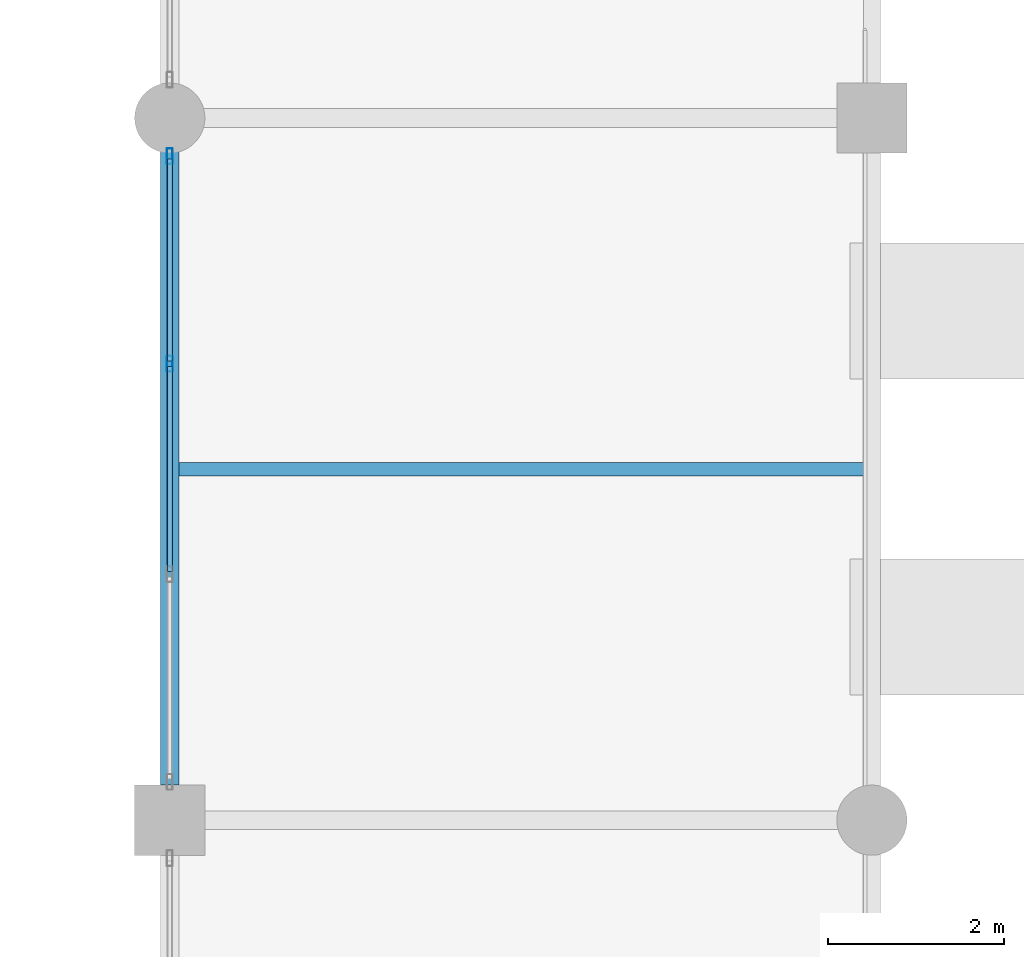
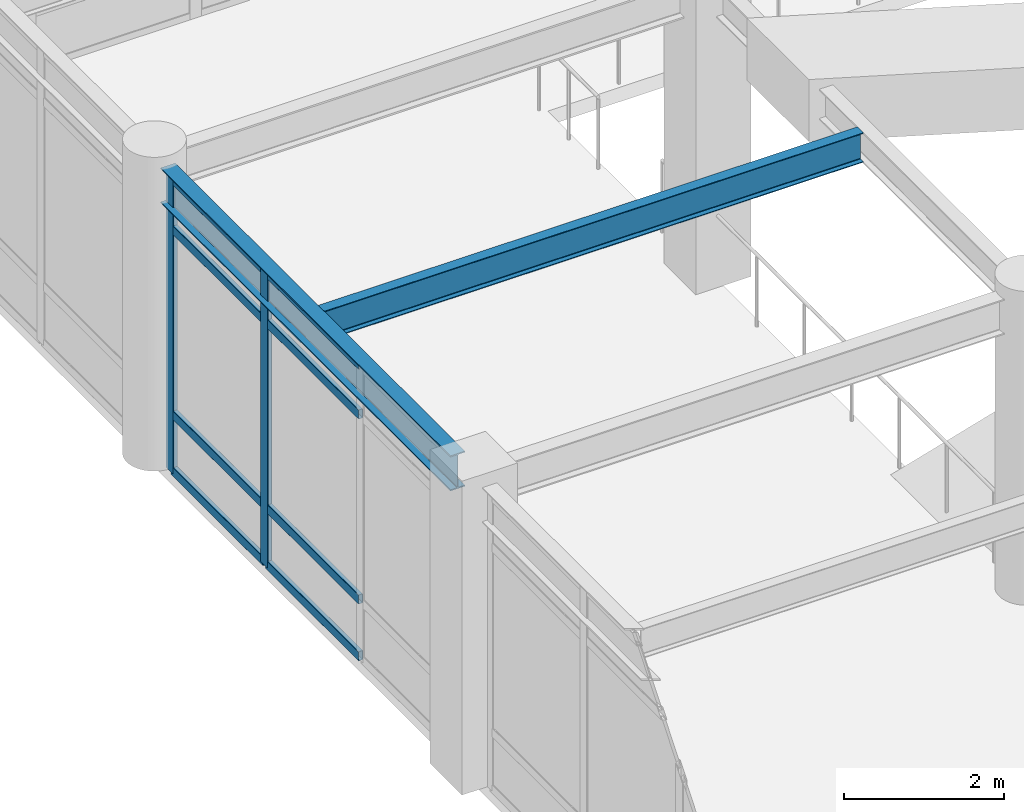
# One storey, part 35 of 117: 10 members, 2 beams, 1 element without a shape of its own.
"""IFC4 building model written with IfcOpenShell, lengths in metres."""

from ifc_helpers import new_model, si_unit, direction, frame, origin, origin_2d, place, context, subcontext, project, spatial, hollow_rectangle, i_section, extrude, material, material_profile, profile_set, type_object, element, aggregate, save


model = new_model("IFC4")

# Units and contexts
model_context = context("Model", 3, precision=1e-05, world=origin(), true_north=direction((0.0, 1.0)))
body_context = subcontext(model_context, "Body", "Model", "MODEL_VIEW")
ifc_project = project(units=[si_unit("LENGTHUNIT", "METRE"), si_unit("AREAUNIT", "SQUARE_METRE"), si_unit("VOLUMEUNIT", "CUBIC_METRE"), si_unit("PLANEANGLEUNIT", "RADIAN"), si_unit("MASSUNIT", "GRAM", prefix="KILO")], contexts=[model_context])

# Site, building, storey
site_placement = place(None, origin())
site = spatial("IfcSite", under=ifc_project, at=site_placement, CompositionType="ELEMENT")
building_placement = place(site_placement, origin())
building = spatial("IfcBuilding", under=site, at=building_placement, Name="Solmirada Galleria", CompositionType="ELEMENT")
storey_placement = place(building_placement, frame((0.0, 0.0, 5.60009765625)))
storey = spatial("IfcBuildingStorey", under=building, at=storey_placement, Name="L01", CompositionType="ELEMENT", Elevation=5.60009765625)

# Beams
ifc_material_1 = material(Name="Steel S355 / ASTM A992 Grade 50", Category="steel")
ifc_material_profile_1 = material_profile(ifc_material_1, i_section(OverallWidth=0.2099609375, OverallDepth=0.537109375, WebThickness=0.010986328125, FlangeThickness=0.017333984375, FilletRadius=0.014892578125, at=origin_2d()), Name="W21X68")
ifc_profile_set_1 = profile_set([ifc_material_profile_1], Name="Steel S355 / ASTM A992 Grade 50")
beam_type_1 = type_object("IfcBeamType", Name="BM-GIRD-W21B", PredefinedType="BEAM", material=ifc_profile_set_1)
beam_1_placement = place(storey_placement, frame((80.0, 56.39990234375, 4.331298828125), z_axis=(0.0, 1.0, 0.0), x_axis=(-1.0, 0.0, 0.0)))
element("IfcBeam", 1, at=beam_1_placement, inside=storey, type_object=beam_type_1, Name="Primary girder L02 Y(80, 56..64)", PredefinedType="BEAM", context=body_context, shape_type="SweptSolid", body=[
    extrude(i_section(OverallWidth=0.2099609375, OverallDepth=0.537109375, WebThickness=0.010986328125, FlangeThickness=0.017333984375, FilletRadius=0.014892578125, at=origin_2d()), origin(), (0.0, 0.0, 1.0), 7.26416015625),
])
ifc_material_profile_2 = material_profile(ifc_material_1, i_section(OverallWidth=0.152099609375, OverallDepth=0.449951171875, WebThickness=0.007568359375, FlangeThickness=0.0107421875, FilletRadius=0.011962890625, at=origin_2d()), Name="W18X35")
ifc_profile_set_2 = profile_set([ifc_material_profile_2], Name="Steel S355 / ASTM A992 Grade 50")
beam_type_2 = type_object("IfcBeamType", Name="BM-JST-W18B", PredefinedType="JOIST", material=ifc_profile_set_2)
beam_2_placement = place(storey_placement, frame((80.10498046875, 60.0, 4.375), z_axis=(1.0, 0.0, 0.0), x_axis=(0.0, 1.0, 0.0)))
element("IfcBeam", 2, at=beam_2_placement, inside=storey, type_object=beam_type_2, Name="Composite floor joist L02 (80..88, 60.0)", PredefinedType="JOIST", context=body_context, shape_type="SweptSolid", body=[
    extrude(i_section(OverallWidth=0.152099609375, OverallDepth=0.449951171875, WebThickness=0.007568359375, FlangeThickness=0.0107421875, FilletRadius=0.011962890625, at=origin_2d()), origin(), (0.0, 0.0, 1.0), 7.798095703125),
])

# Curtain wall, members
ifc_material_2 = material(Name="Impact-resistant low-E double glazing", Category="glass")
curtain_wall_type = type_object("IfcCurtainWallType", Name="CW-FZ3-L01-B3-L072", PredefinedType="NOTDEFINED", material=ifc_material_2)
curtain_wall_placement = place(storey_placement, origin())
curtain_wall = element("IfcCurtainWall", 3, at=curtain_wall_placement, inside=storey, type_object=curtain_wall_type, Name="Terrace and arcade storefront CW-L01-045", PredefinedType="NOTDEFINED")
ifc_material_3 = material(Name="Anodised aluminium framing", Category="aluminium")
ifc_material_profile_3 = material_profile(ifc_material_3, hollow_rectangle(XDim=0.06494140625, YDim=0.179931640625, WallThickness=0.00390625, InnerFilletRadius=0.00390625, OuterFilletRadius=0.008056640625, at=origin_2d()), Name="ALU-MULL-180X65")
ifc_profile_set_3 = profile_set([ifc_material_profile_3], Name="Anodised aluminium framing")
member_type_1 = type_object("IfcMemberType", Name="CW-MULL-180", PredefinedType="MULLION", material=ifc_profile_set_3)
member_1_placement = place(storey_placement, frame((80.0, 61.19921875, 0.0), z_axis=(0.0, 0.0, 1.0), x_axis=(-1.0, 0.0, 0.0)))
member_1 = element("IfcMember", 4, at=member_1_placement, type_object=member_type_1, Name="CW12 mullion 3", PredefinedType="MULLION", context=body_context, shape_type="SweptSolid", body=[
    extrude(hollow_rectangle(XDim=0.06494140625, YDim=0.179931640625, WallThickness=0.00390625, InnerFilletRadius=0.00390625, OuterFilletRadius=0.008056640625, at=origin_2d()), origin(), (0.0, 0.0, 1.0), 4.52001953125),
])
member_2_placement = place(storey_placement, frame((80.0, 63.5654296875, 0.0), z_axis=(0.0, 0.0, 1.0), x_axis=(-1.0, 0.0, 0.0)))
member_2 = element("IfcMember", 5, at=member_2_placement, type_object=member_type_1, Name="CW12 mullion 4", PredefinedType="MULLION", context=body_context, shape_type="SweptSolid", body=[
    extrude(hollow_rectangle(XDim=0.06494140625, YDim=0.179931640625, WallThickness=0.00390625, InnerFilletRadius=0.00390625, OuterFilletRadius=0.008056640625, at=origin_2d()), origin(), (0.0, 0.0, 1.0), 4.52001953125),
])
ifc_material_profile_4 = material_profile(ifc_material_3, hollow_rectangle(XDim=0.06494140625, YDim=0.139892578125, WallThickness=0.00341796875, InnerFilletRadius=0.00341796875, OuterFilletRadius=0.007080078125, at=origin_2d()), Name="ALU-TRAN-140X65")
ifc_profile_set_4 = profile_set([ifc_material_profile_4], Name="Anodised aluminium framing")
member_type_2 = type_object("IfcMemberType", Name="CW-TRAN-140", PredefinedType="USERDEFINED", material=ifc_profile_set_4)
member_3_placement = place(storey_placement, frame((80.0, 58.833251953125, 0.032470703125), z_axis=(0.0, 1.0, 0.0), x_axis=(-1.0, 0.0, 0.0)))
member_3 = element("IfcMember", 6, at=member_3_placement, type_object=member_type_2, Name="CW12 transom 2.1", ObjectType="TRANSOM", PredefinedType="USERDEFINED", context=body_context, shape_type="SweptSolid", body=[
    extrude(hollow_rectangle(XDim=0.06494140625, YDim=0.139892578125, WallThickness=0.00341796875, InnerFilletRadius=0.00341796875, OuterFilletRadius=0.007080078125, at=origin_2d()), origin(), (0.0, 0.0, 1.0), 2.33349609375),
])
member_4_placement = place(storey_placement, frame((80.0, 58.833251953125, 0.89990234375), z_axis=(0.0, 1.0, 0.0), x_axis=(-1.0, 0.0, 0.0)))
member_4 = element("IfcMember", 7, at=member_4_placement, type_object=member_type_2, Name="CW12 transom 2.2", ObjectType="TRANSOM", PredefinedType="USERDEFINED", context=body_context, shape_type="SweptSolid", body=[
    extrude(hollow_rectangle(XDim=0.06494140625, YDim=0.139892578125, WallThickness=0.00341796875, InnerFilletRadius=0.00341796875, OuterFilletRadius=0.007080078125, at=origin_2d()), origin(), (0.0, 0.0, 1.0), 2.33349609375),
])
member_5_placement = place(storey_placement, frame((80.0, 58.833251953125, 3.72998046875), z_axis=(0.0, 1.0, 0.0), x_axis=(-1.0, 0.0, 0.0)))
member_5 = element("IfcMember", 8, at=member_5_placement, type_object=member_type_2, Name="CW12 transom 2.3", ObjectType="TRANSOM", PredefinedType="USERDEFINED", context=body_context, shape_type="SweptSolid", body=[
    extrude(hollow_rectangle(XDim=0.06494140625, YDim=0.139892578125, WallThickness=0.00341796875, InnerFilletRadius=0.00341796875, OuterFilletRadius=0.007080078125, at=origin_2d()), origin(), (0.0, 0.0, 1.0), 2.33349609375),
])
member_6_placement = place(storey_placement, frame((80.0, 58.833251953125, 4.4873046875), z_axis=(0.0, 1.0, 0.0), x_axis=(-1.0, 0.0, 0.0)))
member_6 = element("IfcMember", 9, at=member_6_placement, type_object=member_type_2, Name="CW12 transom 2.4", ObjectType="TRANSOM", PredefinedType="USERDEFINED", context=body_context, shape_type="SweptSolid", body=[
    extrude(hollow_rectangle(XDim=0.06494140625, YDim=0.139892578125, WallThickness=0.00341796875, InnerFilletRadius=0.00341796875, OuterFilletRadius=0.007080078125, at=origin_2d()), origin(), (0.0, 0.0, 1.0), 2.33349609375),
])
member_7_placement = place(storey_placement, frame((80.0, 61.23193359375, 0.032470703125), z_axis=(0.0, 1.0, 0.0), x_axis=(-1.0, 0.0, 0.0)))
member_7 = element("IfcMember", 10, at=member_7_placement, type_object=member_type_2, Name="CW12 transom 3.1", ObjectType="TRANSOM", PredefinedType="USERDEFINED", context=body_context, shape_type="SweptSolid", body=[
    extrude(hollow_rectangle(XDim=0.06494140625, YDim=0.139892578125, WallThickness=0.00341796875, InnerFilletRadius=0.00341796875, OuterFilletRadius=0.007080078125, at=origin_2d()), origin(), (0.0, 0.0, 1.0), 2.301025390625),
])
member_8_placement = place(storey_placement, frame((80.0, 61.23193359375, 0.89990234375), z_axis=(0.0, 1.0, 0.0), x_axis=(-1.0, 0.0, 0.0)))
member_8 = element("IfcMember", 11, at=member_8_placement, type_object=member_type_2, Name="CW12 transom 3.2", ObjectType="TRANSOM", PredefinedType="USERDEFINED", context=body_context, shape_type="SweptSolid", body=[
    extrude(hollow_rectangle(XDim=0.06494140625, YDim=0.139892578125, WallThickness=0.00341796875, InnerFilletRadius=0.00341796875, OuterFilletRadius=0.007080078125, at=origin_2d()), origin(), (0.0, 0.0, 1.0), 2.301025390625),
])
member_9_placement = place(storey_placement, frame((80.0, 61.23193359375, 3.72998046875), z_axis=(0.0, 1.0, 0.0), x_axis=(-1.0, 0.0, 0.0)))
member_9 = element("IfcMember", 12, at=member_9_placement, type_object=member_type_2, Name="CW12 transom 3.3", ObjectType="TRANSOM", PredefinedType="USERDEFINED", context=body_context, shape_type="SweptSolid", body=[
    extrude(hollow_rectangle(XDim=0.06494140625, YDim=0.139892578125, WallThickness=0.00341796875, InnerFilletRadius=0.00341796875, OuterFilletRadius=0.007080078125, at=origin_2d()), origin(), (0.0, 0.0, 1.0), 2.301025390625),
])
member_10_placement = place(storey_placement, frame((80.0, 61.23193359375, 4.4873046875), z_axis=(0.0, 1.0, 0.0), x_axis=(-1.0, 0.0, 0.0)))
member_10 = element("IfcMember", 13, at=member_10_placement, type_object=member_type_2, Name="CW12 transom 3.4", ObjectType="TRANSOM", PredefinedType="USERDEFINED", context=body_context, shape_type="SweptSolid", body=[
    extrude(hollow_rectangle(XDim=0.06494140625, YDim=0.139892578125, WallThickness=0.00341796875, InnerFilletRadius=0.00341796875, OuterFilletRadius=0.007080078125, at=origin_2d()), origin(), (0.0, 0.0, 1.0), 2.301025390625),
])
aggregate(curtain_wall, [member_1, member_2, member_3, member_4, member_5, member_6, member_7, member_8, member_9, member_10])

save(model, "model.ifc")
